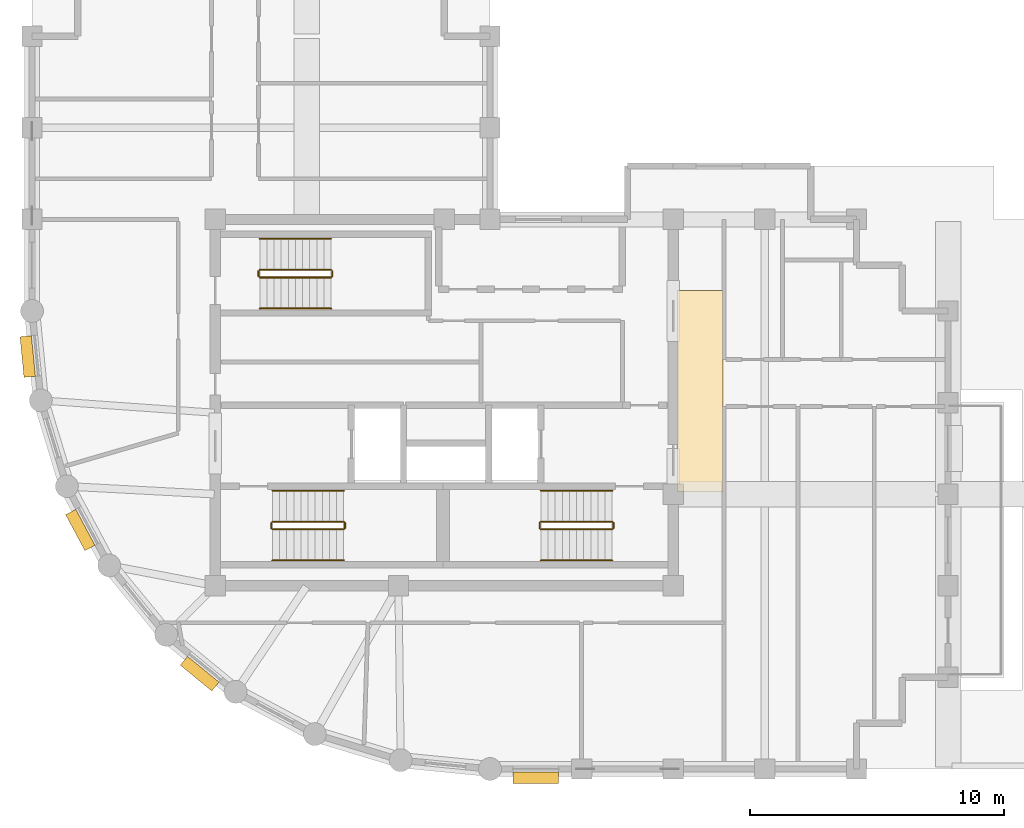
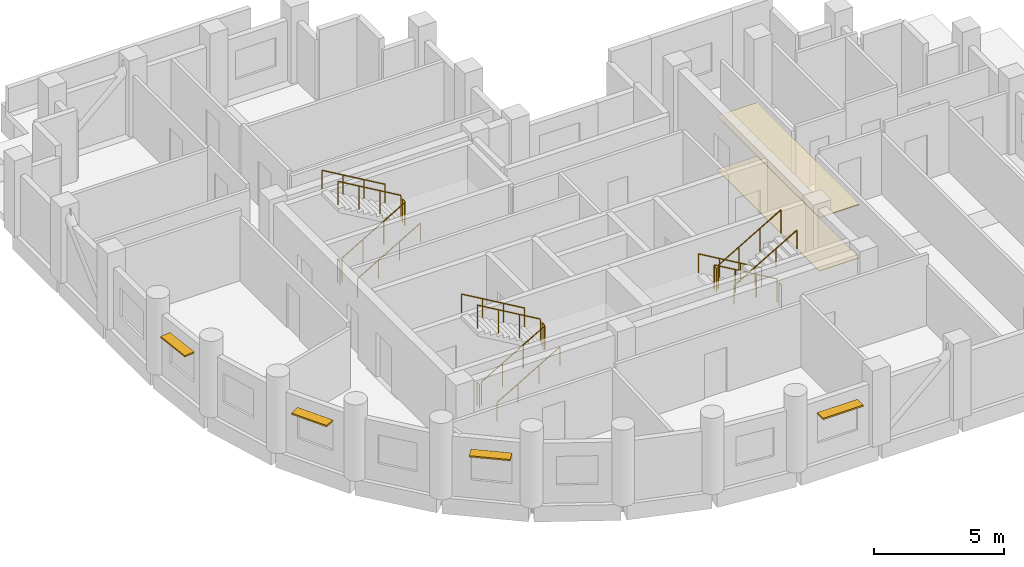
# One storey, part 6 of 7: 18 railings, 4 shading devices, 2 coverings.
"""IFC4 building model written with IfcOpenShell, lengths in metres."""

from ifc_helpers import new_model, si_unit, direction, frame, origin, origin_2d, place, context, subcontext, project, spatial, polyline, rectangle, circle, outline, extrude, material, layer, layer_set, type_object, element, save


model = new_model("IFC4")

# Units and contexts
model_context = context("Model", 3, precision=1e-05, world=origin(), true_north=direction((0.0, 1.0)))
body_context = subcontext(model_context, "Body", "Model", "MODEL_VIEW")
ifc_project = project(units=[si_unit("LENGTHUNIT", "METRE"), si_unit("AREAUNIT", "SQUARE_METRE"), si_unit("VOLUMEUNIT", "CUBIC_METRE"), si_unit("PLANEANGLEUNIT", "RADIAN"), si_unit("MASSUNIT", "GRAM", prefix="KILO")], contexts=[model_context])

# Site, building, storey
site_placement = place(None, origin())
site = spatial("IfcSite", under=ifc_project, at=site_placement, CompositionType="ELEMENT")
building_placement = place(site_placement, origin())
building = spatial("IfcBuilding", under=site, at=building_placement, Name="Solnavia Interchange Tower", CompositionType="ELEMENT")
storey_placement = place(building_placement, frame((0.0, 0.0, 221.0)))
storey = spatial("IfcBuildingStorey", under=building, at=storey_placement, Name="L55", CompositionType="ELEMENT", Elevation=221.0)

# Coverings
ifc_material_1 = material(Name="Perforated Mineral-Fibre & Gypsum Ceiling", Category="gypsum")
ifc_layer_1 = layer(ifc_material_1, 0.0400390625)
ifc_layer_set_1 = layer_set([ifc_layer_1], Name="Perforated Mineral-Fibre & Gypsum Ceiling")
covering_type_1 = type_object("IfcCoveringType", Name="Covering-Ceiling-Acoustic40", PredefinedType="CEILING", material=ifc_layer_set_1)
covering_1_placement = place(storey_placement, frame((0.0, 0.0, 2.5)))
element("IfcCovering", 1, at=covering_1_placement, inside=storey, type_object=covering_type_1, Name="CLG-L55-01 Circulation suspended acoustic ceiling", PredefinedType="CEILING", context=body_context, shape_type="SweptSolid", body=[
    extrude(outline(polyline([(32.550048828125, 14.5), (34.35009765625, 14.5), (34.35009765625, 22.39990234375), (32.550048828125, 22.39990234375), (32.550048828125, 14.5)])), origin(), (0.0, 0.0, 1.0), 0.0400390625),
])
ifc_material_2 = material(Name="Engineered European Oak Flooring", Category="wood")
ifc_layer_2 = layer(ifc_material_2, 0.02001953125)
ifc_layer_set_2 = layer_set([ifc_layer_2], Name="Engineered European Oak Flooring")
covering_type_2 = type_object("IfcCoveringType", Name="Covering-Flooring-Timber20", PredefinedType="FLOORING", material=ifc_layer_set_2)
covering_2_placement = place(storey_placement, origin())
element("IfcCovering", 2, at=covering_2_placement, inside=storey, type_object=covering_type_2, Name="FLR-L55-01 Circulation floor finish", PredefinedType="FLOORING", context=body_context, shape_type="SweptSolid", body=[
    extrude(outline(polyline([(32.550048828125, 14.5), (34.35009765625, 14.5), (34.35009765625, 22.39990234375), (32.550048828125, 22.39990234375), (32.550048828125, 14.5)])), origin(), (0.0, 0.0, 1.0), 0.02001953125),
])

# Railings
ifc_material_3 = material(Name="Painted Steel Balustrade", Category="steel")
railing_type_1 = type_object("IfcRailingType", Name="Railing-StairGuard-1100", PredefinedType="GUARDRAIL", material=ifc_material_3)
railing_1_placement = place(storey_placement, frame((16.64990234375, 13.02001953125, 0.16357421875)))
element("IfcRailing", 3, at=railing_1_placement, inside=storey, type_object=railing_type_1, Name="L55 ST-1 stair guard 1", PredefinedType="GUARDRAIL", context=body_context, shape_type="SweptSolid", body=[
    extrude(circle(Radius=0.02392578125, at=origin_2d()), frame((0.0, 0.0, 1.09619140625), z_axis=(0.863360870873, 0.0, 0.504586966384), x_axis=(0.0, 1.0, 0.0)), (0.0, 0.0, 1.0), 3.2431640625),
    extrude(circle(Radius=0.02099609375, at=origin_2d()), origin(), (0.0, 0.0, 1.0), 1.072021484375),
    extrude(circle(Radius=0.02099609375, at=origin_2d()), frame((0.933349609375, 0.0, 0.54541015625)), (0.0, 0.0, 1.0), 1.072021484375),
    extrude(circle(Radius=0.02099609375, at=origin_2d()), frame((1.86669921875, 0.0, 1.091064453125)), (0.0, 0.0, 1.0), 1.072021484375),
    extrude(circle(Radius=0.02099609375, at=origin_2d()), frame((2.800048828125, 0.0, 1.636474609375)), (0.0, 0.0, 1.0), 1.072021484375),
])
railing_2_placement = place(storey_placement, frame((19.5, 13.070068359375, 1.800048828125)))
element("IfcRailing", 4, at=railing_2_placement, inside=storey, type_object=railing_type_1, Name="L55 ST-1 stair guard 2", PredefinedType="GUARDRAIL", context=body_context, shape_type="SweptSolid", body=[
    extrude(circle(Radius=0.02392578125, at=origin_2d()), frame((0.0, 0.0, 1.09619140625), z_axis=(0.0, 1.0, 0.0), x_axis=(-1.0, 0.0, 0.0)), (0.0, 0.0, 1.0), 0.199951171875),
    extrude(circle(Radius=0.02099609375, at=origin_2d()), origin(), (0.0, 0.0, 1.0), 1.072021484375),
    extrude(circle(Radius=0.02099609375, at=origin_2d()), frame((0.0, 0.199951171875, 0.0)), (0.0, 0.0, 1.0), 1.072021484375),
])
railing_3_placement = place(storey_placement, frame((19.449951171875, 13.320068359375, 1.963623046875)))
element("IfcRailing", 5, at=railing_3_placement, inside=storey, type_object=railing_type_1, Name="L55 ST-1 stair guard 3", PredefinedType="GUARDRAIL", context=body_context, shape_type="SweptSolid", body=[
    extrude(circle(Radius=0.02392578125, at=origin_2d()), frame((0.0, 0.0, 1.09619140625), z_axis=(-0.863360870873, 0.0, 0.504586966384), x_axis=(0.0, -1.0, 0.0)), (0.0, 0.0, 1.0), 3.2431640625),
    extrude(circle(Radius=0.02099609375, at=origin_2d()), origin(), (0.0, 0.0, 1.0), 1.072021484375),
    extrude(circle(Radius=0.02099609375, at=origin_2d()), frame((-0.933349609375, 0.0, 0.54541015625)), (0.0, 0.0, 1.0), 1.072021484375),
    extrude(circle(Radius=0.02099609375, at=origin_2d()), frame((-1.86669921875, 0.0, 1.091064453125)), (0.0, 0.0, 1.0), 1.072021484375),
    extrude(circle(Radius=0.02099609375, at=origin_2d()), frame((-2.800048828125, 0.0, 1.636474609375)), (0.0, 0.0, 1.0), 1.072021484375),
])
railing_4_placement = place(storey_placement, frame((16.60009765625, 13.070068359375, 0.0)))
element("IfcRailing", 6, at=railing_4_placement, inside=storey, type_object=railing_type_1, Name="L55 ST-1 stair guard 4", PredefinedType="GUARDRAIL", context=body_context, shape_type="SweptSolid", body=[
    extrude(circle(Radius=0.02392578125, at=origin_2d()), frame((0.0, 0.0, 1.09619140625), z_axis=(0.0, 1.0, 0.0), x_axis=(-1.0, 0.0, 0.0)), (0.0, 0.0, 1.0), 0.199951171875),
    extrude(circle(Radius=0.02099609375, at=origin_2d()), origin(), (0.0, 0.0, 1.0), 1.072021484375),
    extrude(circle(Radius=0.02099609375, at=origin_2d()), frame((0.0, 0.199951171875, 0.0)), (0.0, 0.0, 1.0), 1.072021484375),
])
railing_5_placement = place(storey_placement, frame((30.0, 13.320068359375, 0.16357421875)))
element("IfcRailing", 7, at=railing_5_placement, inside=storey, type_object=railing_type_1, Name="L55 ST-2 stair guard 1", PredefinedType="GUARDRAIL", context=body_context, shape_type="SweptSolid", body=[
    extrude(circle(Radius=0.02392578125, at=origin_2d()), frame((0.0, 0.0, 1.09619140625), z_axis=(-0.863360870873, 0.0, 0.504586966384), x_axis=(0.0, -1.0, 0.0)), (0.0, 0.0, 1.0), 3.2431640625),
    extrude(circle(Radius=0.02099609375, at=origin_2d()), origin(), (0.0, 0.0, 1.0), 1.072021484375),
    extrude(circle(Radius=0.02099609375, at=origin_2d()), frame((-0.933349609375, 0.0, 0.54541015625)), (0.0, 0.0, 1.0), 1.072021484375),
    extrude(circle(Radius=0.02099609375, at=origin_2d()), frame((-1.86669921875, 0.0, 1.091064453125)), (0.0, 0.0, 1.0), 1.072021484375),
    extrude(circle(Radius=0.02099609375, at=origin_2d()), frame((-2.800048828125, 0.0, 1.636474609375)), (0.0, 0.0, 1.0), 1.072021484375),
])
railing_6_placement = place(storey_placement, frame((27.14990234375, 13.27001953125, 1.800048828125)))
element("IfcRailing", 8, at=railing_6_placement, inside=storey, type_object=railing_type_1, Name="L55 ST-2 stair guard 2", PredefinedType="GUARDRAIL", context=body_context, shape_type="SweptSolid", body=[
    extrude(circle(Radius=0.02392578125, at=origin_2d()), frame((0.0, 0.0, 1.09619140625), z_axis=(0.0, -1.0, 0.0), x_axis=(1.0, 0.0, 0.0)), (0.0, 0.0, 1.0), 0.199951171875),
    extrude(circle(Radius=0.02099609375, at=origin_2d()), origin(), (0.0, 0.0, 1.0), 1.072021484375),
    extrude(circle(Radius=0.02099609375, at=origin_2d()), frame((0.0, -0.199951171875, 0.0)), (0.0, 0.0, 1.0), 1.072021484375),
])
railing_7_placement = place(storey_placement, frame((27.199951171875, 13.02001953125, 1.963623046875)))
element("IfcRailing", 9, at=railing_7_placement, inside=storey, type_object=railing_type_1, Name="L55 ST-2 stair guard 3", PredefinedType="GUARDRAIL", context=body_context, shape_type="SweptSolid", body=[
    extrude(circle(Radius=0.02392578125, at=origin_2d()), frame((0.0, 0.0, 1.09619140625), z_axis=(0.863360870873, 0.0, 0.504586966384), x_axis=(0.0, 1.0, 0.0)), (0.0, 0.0, 1.0), 3.2431640625),
    extrude(circle(Radius=0.02099609375, at=origin_2d()), origin(), (0.0, 0.0, 1.0), 1.072021484375),
    extrude(circle(Radius=0.02099609375, at=origin_2d()), frame((0.933349609375, 0.0, 0.54541015625)), (0.0, 0.0, 1.0), 1.072021484375),
    extrude(circle(Radius=0.02099609375, at=origin_2d()), frame((1.86669921875, 0.0, 1.091064453125)), (0.0, 0.0, 1.0), 1.072021484375),
    extrude(circle(Radius=0.02099609375, at=origin_2d()), frame((2.800048828125, 0.0, 1.636474609375)), (0.0, 0.0, 1.0), 1.072021484375),
])
railing_8_placement = place(storey_placement, frame((30.050048828125, 13.27001953125, 0.0)))
element("IfcRailing", 10, at=railing_8_placement, inside=storey, type_object=railing_type_1, Name="L55 ST-2 stair guard 4", PredefinedType="GUARDRAIL", context=body_context, shape_type="SweptSolid", body=[
    extrude(circle(Radius=0.02392578125, at=origin_2d()), frame((0.0, 0.0, 1.09619140625), z_axis=(0.0, -1.0, 0.0), x_axis=(1.0, 0.0, 0.0)), (0.0, 0.0, 1.0), 0.199951171875),
    extrude(circle(Radius=0.02099609375, at=origin_2d()), origin(), (0.0, 0.0, 1.0), 1.072021484375),
    extrude(circle(Radius=0.02099609375, at=origin_2d()), frame((0.0, -0.199951171875, 0.0)), (0.0, 0.0, 1.0), 1.072021484375),
])
railing_9_placement = place(storey_placement, frame((16.14990234375, 22.919921875, 0.16357421875)))
element("IfcRailing", 11, at=railing_9_placement, inside=storey, type_object=railing_type_1, Name="L55 ST-3 stair guard 1", PredefinedType="GUARDRAIL", context=body_context, shape_type="SweptSolid", body=[
    extrude(circle(Radius=0.02392578125, at=origin_2d()), frame((0.0, 0.0, 1.09619140625), z_axis=(0.863360870873, 0.0, 0.504586966384), x_axis=(0.0, 1.0, 0.0)), (0.0, 0.0, 1.0), 3.2431640625),
    extrude(circle(Radius=0.02099609375, at=origin_2d()), origin(), (0.0, 0.0, 1.0), 1.072021484375),
    extrude(circle(Radius=0.02099609375, at=origin_2d()), frame((0.933349609375, 0.0, 0.54541015625)), (0.0, 0.0, 1.0), 1.072021484375),
    extrude(circle(Radius=0.02099609375, at=origin_2d()), frame((1.86669921875, 0.0, 1.091064453125)), (0.0, 0.0, 1.0), 1.072021484375),
    extrude(circle(Radius=0.02099609375, at=origin_2d()), frame((2.800048828125, 0.0, 1.636474609375)), (0.0, 0.0, 1.0), 1.072021484375),
])
railing_10_placement = place(storey_placement, frame((19.0, 22.969970703125, 1.800048828125)))
element("IfcRailing", 12, at=railing_10_placement, inside=storey, type_object=railing_type_1, Name="L55 ST-3 stair guard 2", PredefinedType="GUARDRAIL", context=body_context, shape_type="SweptSolid", body=[
    extrude(circle(Radius=0.02392578125, at=origin_2d()), frame((0.0, 0.0, 1.09619140625), z_axis=(0.0, 1.0, 0.0), x_axis=(-1.0, 0.0, 0.0)), (0.0, 0.0, 1.0), 0.199951171875),
    extrude(circle(Radius=0.02099609375, at=origin_2d()), origin(), (0.0, 0.0, 1.0), 1.072021484375),
    extrude(circle(Radius=0.02099609375, at=origin_2d()), frame((0.0, 0.199951171875, 0.0)), (0.0, 0.0, 1.0), 1.072021484375),
])
railing_11_placement = place(storey_placement, frame((18.949951171875, 23.219970703125, 1.963623046875)))
element("IfcRailing", 13, at=railing_11_placement, inside=storey, type_object=railing_type_1, Name="L55 ST-3 stair guard 3", PredefinedType="GUARDRAIL", context=body_context, shape_type="SweptSolid", body=[
    extrude(circle(Radius=0.02392578125, at=origin_2d()), frame((0.0, 0.0, 1.09619140625), z_axis=(-0.863360870873, 0.0, 0.504586966384), x_axis=(0.0, -1.0, 0.0)), (0.0, 0.0, 1.0), 3.2431640625),
    extrude(circle(Radius=0.02099609375, at=origin_2d()), origin(), (0.0, 0.0, 1.0), 1.072021484375),
    extrude(circle(Radius=0.02099609375, at=origin_2d()), frame((-0.933349609375, 0.0, 0.54541015625)), (0.0, 0.0, 1.0), 1.072021484375),
    extrude(circle(Radius=0.02099609375, at=origin_2d()), frame((-1.86669921875, 0.0, 1.091064453125)), (0.0, 0.0, 1.0), 1.072021484375),
    extrude(circle(Radius=0.02099609375, at=origin_2d()), frame((-2.800048828125, 0.0, 1.636474609375)), (0.0, 0.0, 1.0), 1.072021484375),
])
railing_12_placement = place(storey_placement, frame((16.10009765625, 22.969970703125, 0.0)))
element("IfcRailing", 14, at=railing_12_placement, inside=storey, type_object=railing_type_1, Name="L55 ST-3 stair guard 4", PredefinedType="GUARDRAIL", context=body_context, shape_type="SweptSolid", body=[
    extrude(circle(Radius=0.02392578125, at=origin_2d()), frame((0.0, 0.0, 1.09619140625), z_axis=(0.0, 1.0, 0.0), x_axis=(-1.0, 0.0, 0.0)), (0.0, 0.0, 1.0), 0.199951171875),
    extrude(circle(Radius=0.02099609375, at=origin_2d()), origin(), (0.0, 0.0, 1.0), 1.072021484375),
    extrude(circle(Radius=0.02099609375, at=origin_2d()), frame((0.0, 0.199951171875, 0.0)), (0.0, 0.0, 1.0), 1.072021484375),
])
ifc_material_4 = material(Name="Brushed Stainless Steel", Category="steel")
railing_type_2 = type_object("IfcRailingType", Name="Railing-StairHandrail-900", PredefinedType="HANDRAIL", material=ifc_material_4)
railing_13_placement = place(storey_placement, frame((16.64990234375, 11.800048828125, 0.16357421875)))
element("IfcRailing", 15, at=railing_13_placement, inside=storey, type_object=railing_type_2, Name="L55 ST-1 stair handrail 1", PredefinedType="HANDRAIL", context=body_context, shape_type="SweptSolid", body=[
    extrude(circle(Radius=0.02392578125, at=origin_2d()), frame((0.0, 0.0, 0.8759765625), z_axis=(0.863360870873, 0.0, 0.504586966384), x_axis=(0.0, 1.0, 0.0)), (0.0, 0.0, 1.0), 3.2431640625),
    extrude(circle(Radius=0.02099609375, at=origin_2d()), origin(), (0.0, 0.0, 1.0), 0.851806640625),
    extrude(circle(Radius=0.02099609375, at=origin_2d()), frame((0.933349609375, 0.0, 0.54541015625)), (0.0, 0.0, 1.0), 0.851806640625),
    extrude(circle(Radius=0.02099609375, at=origin_2d()), frame((1.86669921875, 0.0, 1.091064453125)), (0.0, 0.0, 1.0), 0.851806640625),
    extrude(circle(Radius=0.02099609375, at=origin_2d()), frame((2.800048828125, 0.0, 1.636474609375)), (0.0, 0.0, 1.0), 0.851806640625),
])
for number, where, name in (
    (16, (19.449951171875, 14.5400390625, 1.963623046875), "L55 ST-1 stair handrail 2"),
    (17, (30.0, 14.5400390625, 0.16357421875), "L55 ST-2 stair handrail 1"),
):
    element("IfcRailing", number, at=place(storey_placement, frame(where)), inside=storey, type_object=railing_type_2, Name=name, PredefinedType="HANDRAIL", context=body_context, shape_type="SweptSolid", body=[
        extrude(circle(Radius=0.02392578125, at=origin_2d()), frame((0.0, 0.0, 0.8759765625), z_axis=(-0.863360870873, 0.0, 0.504586966384), x_axis=(0.0, -1.0, 0.0)), (0.0, 0.0, 1.0), 3.2431640625),
        extrude(circle(Radius=0.02099609375, at=origin_2d()), origin(), (0.0, 0.0, 1.0), 0.851806640625),
        extrude(circle(Radius=0.02099609375, at=origin_2d()), frame((-0.933349609375, 0.0, 0.54541015625)), (0.0, 0.0, 1.0), 0.851806640625),
        extrude(circle(Radius=0.02099609375, at=origin_2d()), frame((-1.86669921875, 0.0, 1.091064453125)), (0.0, 0.0, 1.0), 0.851806640625),
        extrude(circle(Radius=0.02099609375, at=origin_2d()), frame((-2.800048828125, 0.0, 1.636474609375)), (0.0, 0.0, 1.0), 0.851806640625),
    ])
for number, where, name in (
    (18, (27.199951171875, 11.800048828125, 1.963623046875), "L55 ST-2 stair handrail 2"),
    (19, (16.14990234375, 21.699951171875, 0.16357421875), "L55 ST-3 stair handrail 1"),
):
    element("IfcRailing", number, at=place(storey_placement, frame(where)), inside=storey, type_object=railing_type_2, Name=name, PredefinedType="HANDRAIL", context=body_context, shape_type="SweptSolid", body=[
        extrude(circle(Radius=0.02392578125, at=origin_2d()), frame((0.0, 0.0, 0.8759765625), z_axis=(0.863360870873, 0.0, 0.504586966384), x_axis=(0.0, 1.0, 0.0)), (0.0, 0.0, 1.0), 3.2431640625),
        extrude(circle(Radius=0.02099609375, at=origin_2d()), origin(), (0.0, 0.0, 1.0), 0.851806640625),
        extrude(circle(Radius=0.02099609375, at=origin_2d()), frame((0.933349609375, 0.0, 0.54541015625)), (0.0, 0.0, 1.0), 0.851806640625),
        extrude(circle(Radius=0.02099609375, at=origin_2d()), frame((1.86669921875, 0.0, 1.091064453125)), (0.0, 0.0, 1.0), 0.851806640625),
        extrude(circle(Radius=0.02099609375, at=origin_2d()), frame((2.800048828125, 0.0, 1.636474609375)), (0.0, 0.0, 1.0), 0.851806640625),
    ])
railing_14_placement = place(storey_placement, frame((18.949951171875, 24.43994140625, 1.963623046875)))
element("IfcRailing", 20, at=railing_14_placement, inside=storey, type_object=railing_type_2, Name="L55 ST-3 stair handrail 2", PredefinedType="HANDRAIL", context=body_context, shape_type="SweptSolid", body=[
    extrude(circle(Radius=0.02392578125, at=origin_2d()), frame((0.0, 0.0, 0.8759765625), z_axis=(-0.863360870873, 0.0, 0.504586966384), x_axis=(0.0, -1.0, 0.0)), (0.0, 0.0, 1.0), 3.2431640625),
    extrude(circle(Radius=0.02099609375, at=origin_2d()), origin(), (0.0, 0.0, 1.0), 0.851806640625),
    extrude(circle(Radius=0.02099609375, at=origin_2d()), frame((-0.933349609375, 0.0, 0.54541015625)), (0.0, 0.0, 1.0), 0.851806640625),
    extrude(circle(Radius=0.02099609375, at=origin_2d()), frame((-1.86669921875, 0.0, 1.091064453125)), (0.0, 0.0, 1.0), 0.851806640625),
    extrude(circle(Radius=0.02099609375, at=origin_2d()), frame((-2.800048828125, 0.0, 1.636474609375)), (0.0, 0.0, 1.0), 0.851806640625),
])

# Shading devices
ifc_material_5 = material(Name="Anodised Aluminium Sunshade", Category="aluminium")
ifc_layer_3 = layer(ifc_material_5, 0.070068359375)
ifc_layer_set_3 = layer_set([ifc_layer_3], Name="Anodised Aluminium Sunshade")
shading_device_type = type_object("IfcShadingDeviceType", Name="Sunshade-Band-450", PredefinedType="JALOUSIE", material=ifc_layer_set_3)
shading_device_placement = place(storey_placement, frame((27.0, 3.2548828125, 2.22509765625), z_axis=(0.0, 0.0, 1.0), x_axis=(-1.0, 0.0, 0.0)))
element("IfcShadingDevice", 21, at=shading_device_placement, inside=storey, type_object=shading_device_type, Name="SHD-L55-01 Horizontal sunshade band", PredefinedType="JALOUSIE", context=body_context, shape_type="SweptSolid", body=[
    extrude(rectangle(XDim=1.800048828125, YDim=0.449951171875, at=origin_2d()), origin(), (0.0, 0.0, 1.0), 0.070068359375),
])
for number, where, z_axis, x_axis, name in (
    (22, (7.029541015625, 19.810791015625, 2.22509765625), (0.0, 0.0, 1.0), (-0.098103986207, 0.995176169274, 0.0), "SHD-L55-41 Horizontal sunshade band"),
    (23, (9.097900390625, 12.992919921875, 2.22509765625), (0.0, 0.0, 1.0), (-0.47147369718, 0.881880123865, 0.0), "SHD-L55-43 Horizontal sunshade band"),
    (24, (13.78759765625, 7.3466796875, 2.22509765625), (0.0, 0.0, 1.0), (-0.773176510644, 0.634190888762, 0.0), "SHD-L55-45 Horizontal sunshade band"),
):
    element("IfcShadingDevice", number, at=place(storey_placement, frame(where, z_axis=z_axis, x_axis=x_axis)), inside=storey, type_object=shading_device_type, Name=name, PredefinedType="JALOUSIE", context=body_context, shape_type="SweptSolid", body=[
        extrude(rectangle(XDim=1.60009765625, YDim=0.449951171875, at=origin_2d()), origin(), (0.0, 0.0, 1.0), 0.070068359375),
    ])

save(model, "model.ifc")
